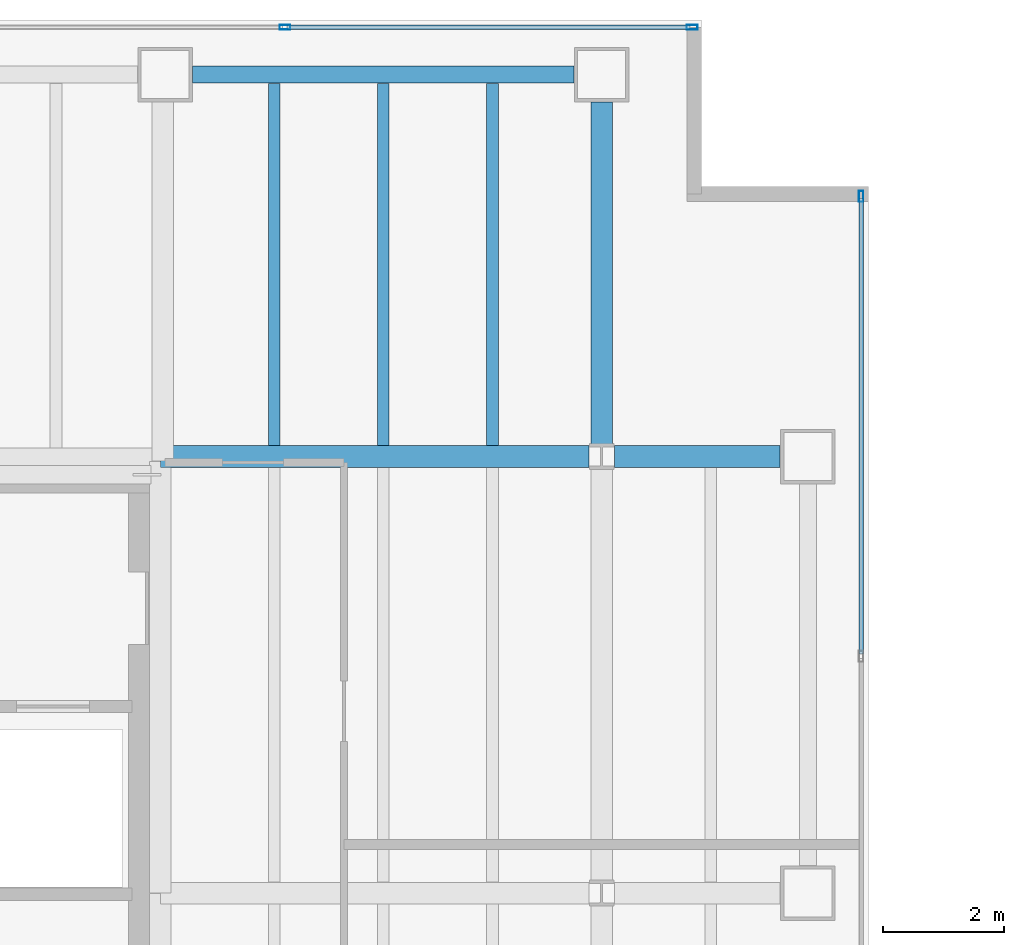
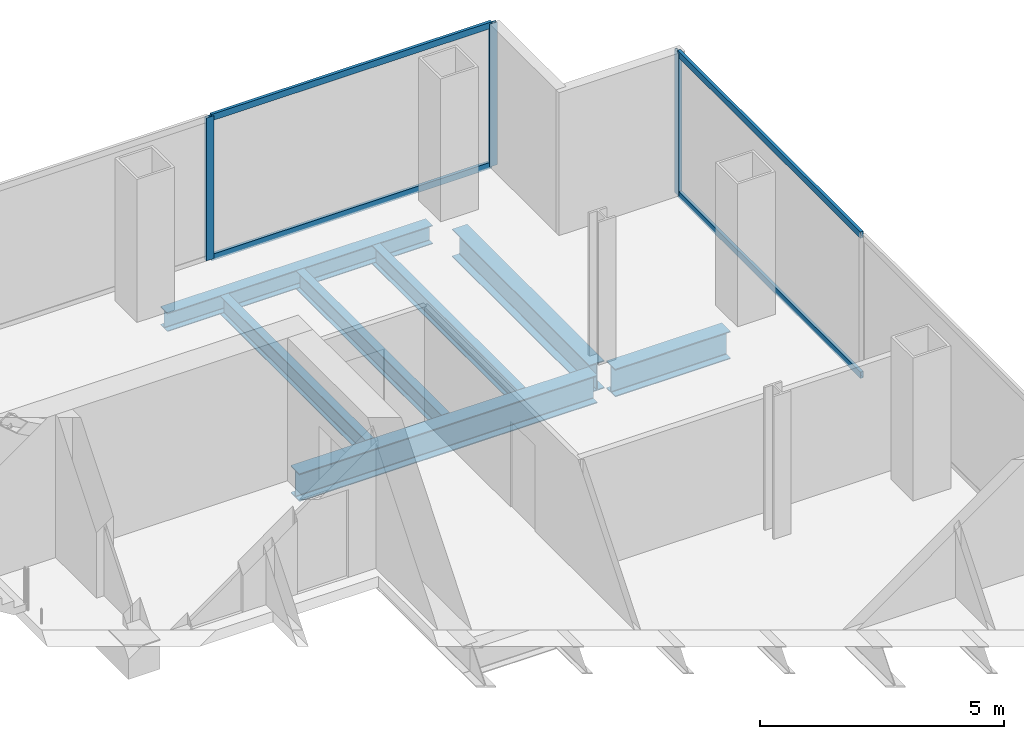
# One storey, part 18 of 23: 7 beams, 7 members, 2 elements without a shape of their own.
"""IFC4 building model written with IfcOpenShell, lengths in metres."""

from ifc_helpers import new_model, si_unit, direction, frame, origin, origin_2d, place, context, subcontext, project, spatial, hollow_rectangle, i_section, extrude, material, material_profile, profile_set, type_object, element, aggregate, save


model = new_model("IFC4")

# Units and contexts
model_context = context("Model", 3, precision=1e-05, world=origin(), true_north=direction((0.0, 1.0)))
body_context = subcontext(model_context, "Body", "Model", "MODEL_VIEW")
ifc_project = project(units=[si_unit("LENGTHUNIT", "METRE"), si_unit("AREAUNIT", "SQUARE_METRE"), si_unit("VOLUMEUNIT", "CUBIC_METRE"), si_unit("PLANEANGLEUNIT", "RADIAN"), si_unit("MASSUNIT", "GRAM", prefix="KILO")], contexts=[model_context])

# Site, building, storey
site_placement = place(None, origin())
site = spatial("IfcSite", under=ifc_project, at=site_placement, CompositionType="ELEMENT")
building_placement = place(site_placement, origin())
building = spatial("IfcBuilding", under=site, at=building_placement, Name="Cobrela Telecom Tower", CompositionType="ELEMENT")
storey_placement = place(building_placement, frame((0.0, 0.0, 125.300048828125)))
storey = spatial("IfcBuildingStorey", under=building, at=storey_placement, Name="L31", CompositionType="ELEMENT", Elevation=125.300048828125)

# Beams
ifc_material_1 = material(Name="Steel ASTM A992 Grade 50", Category="steel")
ifc_material_profile_1 = material_profile(ifc_material_1, i_section(OverallWidth=0.35595703125, OverallDepth=0.696044921875, WebThickness=0.015380859375, FlangeThickness=0.024658203125, FilletRadius=0.01806640625, at=origin_2d()), Name="W27X146")
ifc_profile_set_1 = profile_set([ifc_material_profile_1], Name="Steel ASTM A992 Grade 50")
beam_type_1 = type_object("IfcBeamType", Name="BM-GIRD-05", PredefinedType="USERDEFINED", material=ifc_profile_set_1)
beam_1_placement = place(storey_placement, frame((14.324951171875, 36.0, -0.6181640625), z_axis=(1.0, 0.0, 0.0), x_axis=(0.0, 1.0, 0.0)))
element("IfcBeam", 1, at=beam_1_placement, inside=storey, type_object=beam_type_1, Name="L31 Primary Girder X27", ObjectType="GIRDER", PredefinedType="USERDEFINED", context=body_context, shape_type="SweptSolid", body=[
    extrude(i_section(OverallWidth=0.35595703125, OverallDepth=0.696044921875, WebThickness=0.015380859375, FlangeThickness=0.024658203125, FilletRadius=0.01806640625, at=origin_2d()), origin(), (0.0, 0.0, 1.0), 7.0654296875),
])
beam_2_placement = place(storey_placement, frame((21.8095703125, 36.0, -0.6181640625), z_axis=(1.0, 0.0, 0.0), x_axis=(0.0, 1.0, 0.0)))
element("IfcBeam", 2, at=beam_2_placement, inside=storey, type_object=beam_type_1, Name="L31 Primary Girder X28", ObjectType="GIRDER", PredefinedType="USERDEFINED", context=body_context, shape_type="SweptSolid", body=[
    extrude(i_section(OverallWidth=0.35595703125, OverallDepth=0.696044921875, WebThickness=0.015380859375, FlangeThickness=0.024658203125, FilletRadius=0.01806640625, at=origin_2d()), origin(), (0.0, 0.0, 1.0), 2.7353515625),
])
beam_3_placement = place(storey_placement, frame((21.60009765625, 36.20947265625, -0.6181640625), z_axis=(0.0, 1.0, 0.0), x_axis=(-1.0, 0.0, 0.0)))
element("IfcBeam", 3, at=beam_3_placement, inside=storey, type_object=beam_type_1, Name="L31 Primary Girder Y44", ObjectType="GIRDER", PredefinedType="USERDEFINED", context=body_context, shape_type="SweptSolid", body=[
    extrude(i_section(OverallWidth=0.35595703125, OverallDepth=0.696044921875, WebThickness=0.015380859375, FlangeThickness=0.024658203125, FilletRadius=0.01806640625, at=origin_2d()), origin(), (0.0, 0.0, 1.0), 5.635498046875),
])
ifc_material_profile_2 = material_profile(ifc_material_1, i_section(OverallWidth=0.193115234375, OverallDepth=0.467041015625, WebThickness=0.011474609375, FlangeThickness=0.01904296875, FilletRadius=0.012939453125, at=origin_2d()), Name="W18X65")
ifc_profile_set_2 = profile_set([ifc_material_profile_2], Name="Steel ASTM A992 Grade 50")
beam_type_2 = type_object("IfcBeamType", Name="BM-JOIST-03", PredefinedType="JOIST", material=ifc_profile_set_2)
for number, where, z_axis, x_axis, name in (
    (4, (16.199951171875, 36.18310546875, -0.503662109375), (0.0, 1.0, 0.0), (-1.0, 0.0, 0.0), "L31 Secondary Composite Floor Beam J08"),
    (5, (18.0, 36.18310546875, -0.503662109375), (0.0, 1.0, 0.0), (-1.0, 0.0, 0.0), "L31 Secondary Composite Floor Beam J13"),
    (6, (19.800048828125, 36.18310546875, -0.503662109375), (0.0, 1.0, 0.0), (-1.0, 0.0, 0.0), "L31 Secondary Composite Floor Beam J18"),
):
    element("IfcBeam", number, at=place(storey_placement, frame(where, z_axis=z_axis, x_axis=x_axis)), inside=storey, type_object=beam_type_2, Name=name, PredefinedType="JOIST", context=body_context, shape_type="SweptSolid", body=[
        extrude(i_section(OverallWidth=0.193115234375, OverallDepth=0.467041015625, WebThickness=0.011474609375, FlangeThickness=0.01904296875, FilletRadius=0.012939453125, at=origin_2d()), origin(), (0.0, 0.0, 1.0), 5.970947265625),
    ])
ifc_material_profile_3 = material_profile(ifc_material_1, i_section(OverallWidth=0.281982421875, OverallDepth=0.467041015625, WebThickness=0.01220703125, FlangeThickness=0.01953125, FilletRadius=0.012939453125, at=origin_2d()), Name="W18X86")
ifc_profile_set_3 = profile_set([ifc_material_profile_3], Name="Steel ASTM A992 Grade 50")
beam_type_3 = type_object("IfcBeamType", Name="BM-SPAND-04", PredefinedType="SPANDREL", material=ifc_profile_set_3)
beam_4_placement = place(storey_placement, frame((14.85498046875, 42.300048828125, -0.503662109375), z_axis=(1.0, 0.0, 0.0), x_axis=(0.0, 1.0, 0.0)))
element("IfcBeam", 7, at=beam_4_placement, inside=storey, type_object=beam_type_3, Name="L31 Perimeter Spandrel X30", PredefinedType="SPANDREL", context=body_context, shape_type="SweptSolid", body=[
    extrude(i_section(OverallWidth=0.281982421875, OverallDepth=0.467041015625, WebThickness=0.01220703125, FlangeThickness=0.01953125, FilletRadius=0.012939453125, at=origin_2d()), origin(), (0.0, 0.0, 1.0), 6.2900390625),
])

# Curtain wall, members
ifc_material_2 = material(Name="Anodized Bronze Aluminium 6063-T6", Category="aluminium")
curtain_wall_type = type_object("IfcCurtainWallType", Name="CW-SYS-TEL", PredefinedType="USERDEFINED", material=ifc_material_2)
curtain_wall_1_placement = place(storey_placement, origin())
curtain_wall_1 = element("IfcCurtainWall", 8, at=curtain_wall_1_placement, inside=storey, type_object=curtain_wall_type, Name="L31 Unitised Bronze Curtain Wall 07", ObjectType="UNITISED CURTAIN WALL", PredefinedType="USERDEFINED")
ifc_material_profile_4 = material_profile(ifc_material_2, hollow_rectangle(XDim=0.074951171875, YDim=0.179931640625, WallThickness=0.00390625, at=origin_2d()), Name="ALU 75x180x4")
ifc_profile_set_4 = profile_set([ifc_material_profile_4], Name="Anodized Bronze Aluminium 6063-T6")
member_type_1 = type_object("IfcMemberType", Name="CW-SYS-TEL-MUL", PredefinedType="MULLION", material=ifc_profile_set_4)
member_1_placement = place(storey_placement, frame((16.376708984375, 43.080078125, 0.0), z_axis=(0.0, 0.0, 1.0), x_axis=(0.0, 1.0, 0.0)))
member_1 = element("IfcMember", 9, at=member_1_placement, type_object=member_type_1, Name="CW-TEL mullion 3", PredefinedType="MULLION", context=body_context, shape_type="SweptSolid", body=[
    extrude(hollow_rectangle(XDim=0.074951171875, YDim=0.179931640625, WallThickness=0.00390625, at=origin_2d()), origin(), (0.0, 0.0, 1.0), 3.579833984375),
])
member_2_placement = place(storey_placement, frame((23.092529296875, 43.080078125, 0.0), z_axis=(0.0, 0.0, 1.0), x_axis=(0.0, 1.0, 0.0)))
member_2 = element("IfcMember", 10, at=member_2_placement, type_object=member_type_1, Name="CW-TEL mullion 4", PredefinedType="MULLION", context=body_context, shape_type="SweptSolid", body=[
    extrude(hollow_rectangle(XDim=0.074951171875, YDim=0.179931640625, WallThickness=0.00390625, at=origin_2d()), origin(), (0.0, 0.0, 1.0), 3.579833984375),
])

# Curtain wall, member
curtain_wall_2_placement = place(storey_placement, origin())
curtain_wall_2 = element("IfcCurtainWall", 11, at=curtain_wall_2_placement, inside=storey, type_object=curtain_wall_type, Name="L31 Unitised Bronze Curtain Wall 10", ObjectType="UNITISED CURTAIN WALL", PredefinedType="USERDEFINED")
member_3_placement = place(storey_placement, frame((25.8798828125, 40.29248046875, 0.0), z_axis=(0.0, 0.0, 1.0), x_axis=(1.0, 0.0, 0.0)))
member_3 = element("IfcMember", 12, at=member_3_placement, type_object=member_type_1, Name="CW-TEL mullion 1", PredefinedType="MULLION", context=body_context, shape_type="SweptSolid", body=[
    extrude(hollow_rectangle(XDim=0.074951171875, YDim=0.179931640625, WallThickness=0.00390625, at=origin_2d()), origin(), (0.0, 0.0, 1.0), 3.579833984375),
])

# Member
ifc_material_profile_5 = material_profile(ifc_material_2, hollow_rectangle(XDim=0.070068359375, YDim=0.159912109375, WallThickness=0.00390625, at=origin_2d()), Name="ALU 70x160x4")
ifc_profile_set_5 = profile_set([ifc_material_profile_5], Name="Anodized Bronze Aluminium 6063-T6")
member_type_2 = type_object("IfcMemberType", Name="CW-SYS-TEL-TRN", PredefinedType="USERDEFINED", material=ifc_profile_set_5)
member_4_placement = place(storey_placement, frame((16.4140625, 43.080078125, 0.034912109375), z_axis=(1.0, 0.0, 0.0), x_axis=(0.0, 1.0, 0.0)))
member_4 = element("IfcMember", 13, at=member_4_placement, type_object=member_type_2, Name="CW-TEL transom 3.1", ObjectType="TRANSOM", PredefinedType="USERDEFINED", context=body_context, shape_type="SweptSolid", body=[
    extrude(hollow_rectangle(XDim=0.070068359375, YDim=0.159912109375, WallThickness=0.00390625, at=origin_2d()), origin(), (0.0, 0.0, 1.0), 6.640869140625),
])

member_5_placement = place(storey_placement, frame((16.4140625, 43.080078125, 3.544921875), z_axis=(1.0, 0.0, 0.0), x_axis=(0.0, 1.0, 0.0)))
member_5 = element("IfcMember", 14, at=member_5_placement, type_object=member_type_2, Name="CW-TEL transom 3.2", ObjectType="TRANSOM", PredefinedType="USERDEFINED", context=body_context, shape_type="SweptSolid", body=[
    extrude(hollow_rectangle(XDim=0.070068359375, YDim=0.159912109375, WallThickness=0.00390625, at=origin_2d()), origin(), (0.0, 0.0, 1.0), 6.640869140625),
])

aggregate(curtain_wall_1, [member_1, member_2, member_4, member_5])

member_6_placement = place(storey_placement, frame((25.8798828125, 40.2548828125, 0.034912109375), z_axis=(0.0, -1.0, 0.0), x_axis=(1.0, 0.0, 0.0)))
member_6 = element("IfcMember", 15, at=member_6_placement, type_object=member_type_2, Name="CW-TEL transom 1.1", ObjectType="TRANSOM", PredefinedType="USERDEFINED", context=body_context, shape_type="SweptSolid", body=[
    extrude(hollow_rectangle(XDim=0.070068359375, YDim=0.159912109375, WallThickness=0.00390625, at=origin_2d()), origin(), (0.0, 0.0, 1.0), 7.512451171875),
])

member_7_placement = place(storey_placement, frame((25.8798828125, 40.2548828125, 3.544921875), z_axis=(0.0, -1.0, 0.0), x_axis=(1.0, 0.0, 0.0)))
member_7 = element("IfcMember", 16, at=member_7_placement, type_object=member_type_2, Name="CW-TEL transom 1.2", ObjectType="TRANSOM", PredefinedType="USERDEFINED", context=body_context, shape_type="SweptSolid", body=[
    extrude(hollow_rectangle(XDim=0.070068359375, YDim=0.159912109375, WallThickness=0.00390625, at=origin_2d()), origin(), (0.0, 0.0, 1.0), 7.512451171875),
])

aggregate(curtain_wall_2, [member_3, member_6, member_7])

save(model, "model.ifc")
